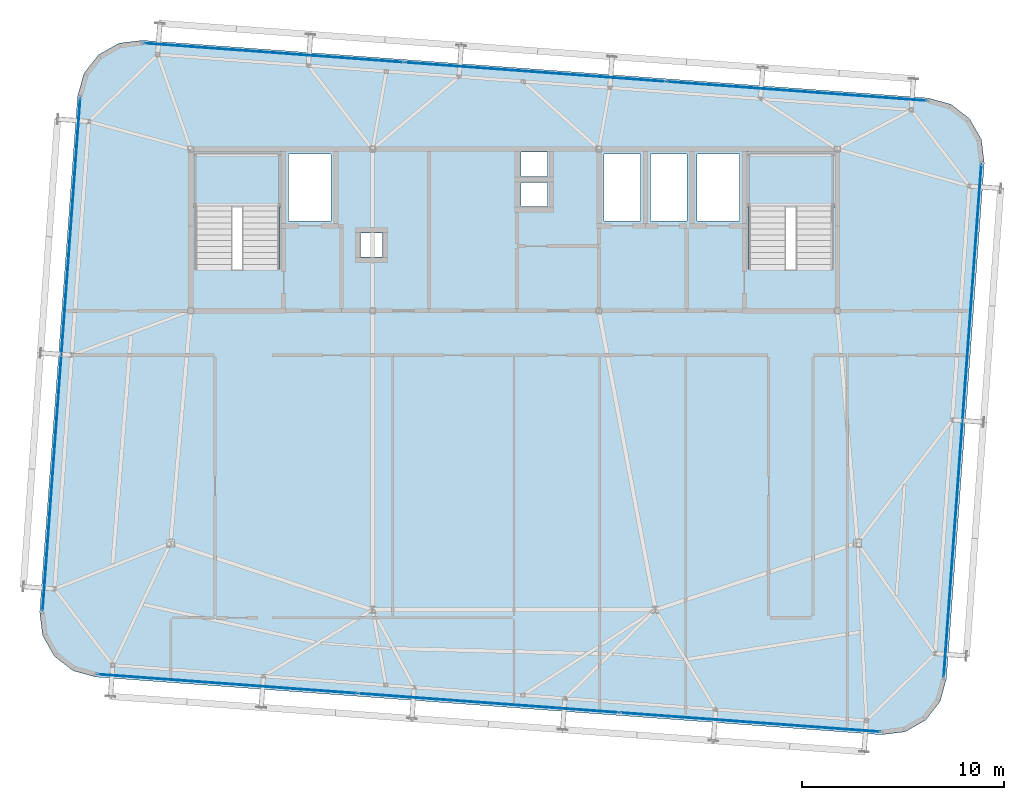
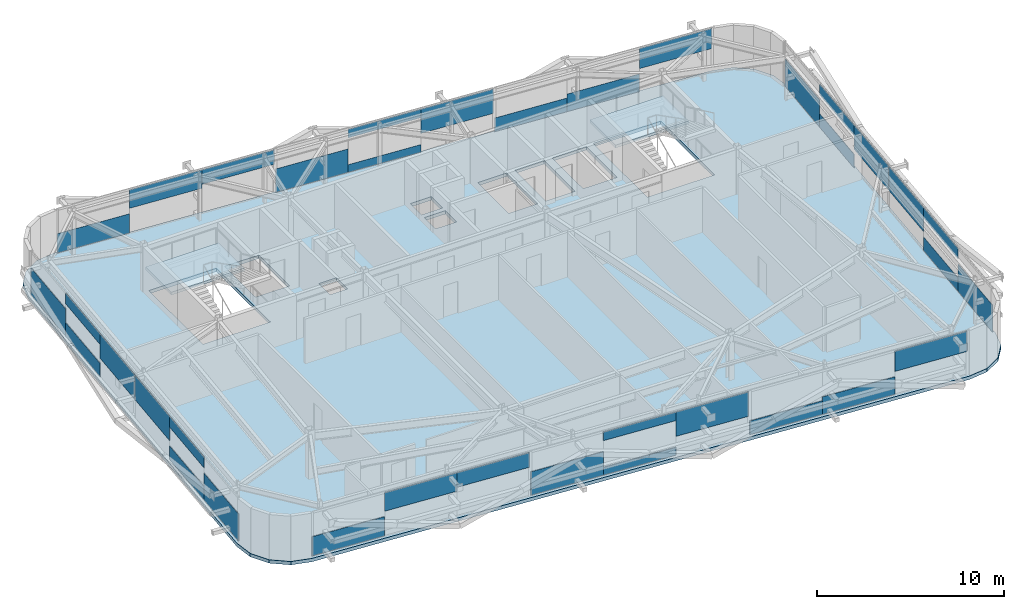
# One storey, part 23 of 34: 36 plates, 3 slabs, 6 elements without a shape of their own.
"""IFC4 building model written with IfcOpenShell, lengths in metres."""

from ifc_helpers import new_model, si_unit, direction, frame, origin, origin_2d, place, context, subcontext, project, spatial, polyline, rectangle, outline, extrude, source, transform, mapped, material, layer, layer_set, type_object, element, aggregate, save


model = new_model("IFC4")

# Units and contexts
model_context = context("Model", 3, precision=1e-05, world=origin(), true_north=direction((0.0, 1.0)))
body_context = subcontext(model_context, "Body", "Model", "MODEL_VIEW")
ifc_project = project(units=[si_unit("LENGTHUNIT", "METRE"), si_unit("AREAUNIT", "SQUARE_METRE"), si_unit("VOLUMEUNIT", "CUBIC_METRE"), si_unit("PLANEANGLEUNIT", "RADIAN"), si_unit("MASSUNIT", "GRAM", prefix="KILO")], contexts=[model_context])

# Site, building, storey
site_placement = place(None, origin())
site = spatial("IfcSite", under=ifc_project, at=site_placement, CompositionType="ELEMENT")
building_placement = place(site_placement, origin())
building = spatial("IfcBuilding", under=site, at=building_placement, Name="Taldren Reach Tower", CompositionType="ELEMENT")
storey_placement = place(building_placement, frame((0.0, 0.0, 239.75)))
storey = spatial("IfcBuildingStorey", under=building, at=storey_placement, Name="L73", CompositionType="ELEMENT", Elevation=239.75)

# Slab
ifc_material_1 = material(Name="Concrete N40 (40 MPa)", Category="concrete")
ifc_layer_1 = layer(ifc_material_1, 0.219970703125)
ifc_layer_set_1 = layer_set([ifc_layer_1], Name="Concrete N40 (40 MPa)")
slab_type_1 = type_object("IfcSlabType", Name="SL-FLR-220", PredefinedType="FLOOR", material=ifc_layer_set_1)
slab_1_placement = place(storey_placement, frame((0.0, 0.0, -0.219970703125)))
element("IfcSlab", 1, at=slab_1_placement, inside=storey, type_object=slab_type_1, Name="Suspended floor slab L73", PredefinedType="FLOOR", context=body_context, shape_type="SweptSolid", body=[
    extrude(outline(polyline([(53.1904296875, 3.014404296875), (54.35205078125, 3.157958984375), (55.370361328125, 3.7353515625), (56.09033203125, 4.658203125), (56.402099609375, 5.78662109375), (58.277099609375, 31.31787109375), (58.13330078125, 32.4794921875), (57.55615234375, 33.497802734375), (56.633056640625, 34.217529296875), (55.5048828125, 34.529541015625), (16.609619140625, 37.3857421875), (15.44775390625, 37.241943359375), (14.429443359375, 36.664794921875), (13.709716796875, 35.74169921875), (13.39794921875, 34.613525390625), (11.52294921875, 9.082275390625), (11.666748046875, 7.920654296875), (12.243896484375, 6.90234375), (13.1669921875, 6.182373046875), (14.295166015625, 5.87060546875), (53.1904296875, 3.014404296875)]), holes=[polyline([(19.219970703125, 26.050048828125), (23.3798828125, 26.050048828125), (23.3798828125, 31.820068359375), (19.219970703125, 31.820068359375), (19.219970703125, 26.050048828125)]), polyline([(46.6201171875, 26.050048828125), (50.780029296875, 26.050048828125), (50.780029296875, 31.820068359375), (46.6201171875, 31.820068359375), (46.6201171875, 26.050048828125)]), polyline([(23.85009765625, 28.449951171875), (25.949951171875, 28.449951171875), (25.949951171875, 31.75), (23.85009765625, 31.75), (23.85009765625, 28.449951171875)]), polyline([(44.050048828125, 28.449951171875), (46.14990234375, 28.449951171875), (46.14990234375, 31.75), (44.050048828125, 31.75), (44.050048828125, 28.449951171875)]), polyline([(39.449951171875, 28.449951171875), (41.25, 28.449951171875), (41.25, 31.75), (39.449951171875, 31.75), (39.449951171875, 28.449951171875)]), polyline([(41.75, 28.449951171875), (43.550048828125, 28.449951171875), (43.550048828125, 31.75), (41.75, 31.75), (41.75, 28.449951171875)]), polyline([(35.35009765625, 30.64990234375), (36.64990234375, 30.64990234375), (36.64990234375, 31.85009765625), (35.35009765625, 31.85009765625), (35.35009765625, 30.64990234375)]), polyline([(35.35009765625, 29.14990234375), (36.64990234375, 29.14990234375), (36.64990234375, 30.35009765625), (35.35009765625, 30.35009765625), (35.35009765625, 29.14990234375)]), polyline([(27.39990234375, 26.64990234375), (28.5, 26.64990234375), (28.5, 27.85009765625), (27.39990234375, 27.85009765625), (27.39990234375, 26.64990234375)])]), origin(), (0.0, 0.0, 1.0), 0.219970703125),
])

# Stair, slab
ifc_material_2 = material(Name="Concrete S50 (50 MPa)", Category="concrete")
stair_type = type_object("IfcStairType", Name="ST-HT-315", PredefinedType="HALF_TURN_STAIR", material=ifc_material_2)
stair_1_placement = place(storey_placement, origin())
stair_1 = element("IfcStair", 2, at=stair_1_placement, inside=storey, type_object=stair_type, Name="Fire-isolated exit stair ST1 L73", PredefinedType="HALF_TURN_STAIR")
ifc_layer_2 = layer(ifc_material_2, 0.179931640625)
ifc_layer_set_2 = layer_set([ifc_layer_2], Name="Concrete S50 (50 MPa)")
slab_type_2 = type_object("IfcSlabType", Name="SL-LAND-180", PredefinedType="LANDING", material=ifc_layer_set_2)
slab_2_placement = place(storey_placement, frame((0.0, 0.0, 1.39501953125)))
slab_2 = element("IfcSlab", 3, at=slab_2_placement, type_object=slab_type_2, Name="ST1 landing 1", PredefinedType="LANDING", context=body_context, shape_type="SweptSolid", body=[
    extrude(outline(polyline([(19.0400390625, 29.135009765625), (23.56005859375, 29.135009765625), (23.56005859375, 31.8701171875), (19.0400390625, 31.8701171875), (19.0400390625, 29.135009765625)])), origin(), (0.0, 0.0, 1.0), 0.179931640625),
])
aggregate(stair_1, [slab_2])

stair_2_placement = place(storey_placement, origin())
stair_2 = element("IfcStair", 4, at=stair_2_placement, inside=storey, type_object=stair_type, Name="Fire-isolated exit stair ST2 L73", PredefinedType="HALF_TURN_STAIR")
slab_3_placement = place(storey_placement, frame((0.0, 0.0, 1.39501953125)))
slab_3 = element("IfcSlab", 5, at=slab_3_placement, type_object=slab_type_2, Name="ST2 landing 1", PredefinedType="LANDING", context=body_context, shape_type="SweptSolid", body=[
    extrude(outline(polyline([(46.43994140625, 29.135009765625), (50.9599609375, 29.135009765625), (50.9599609375, 31.8701171875), (46.43994140625, 31.8701171875), (46.43994140625, 29.135009765625)])), origin(), (0.0, 0.0, 1.0), 0.179931640625),
])
aggregate(stair_2, [slab_3])

# Curtain wall, plate
ifc_material_3 = material(Name="Aluminium and Low-E Glass Unitised System", Category="aluminium")
ifc_layer_3 = layer(ifc_material_3, 0.159912109375)
ifc_layer_set_3 = layer_set([ifc_layer_3], Name="Aluminium and Low-E Glass Unitised System")
curtain_wall_type = type_object("IfcCurtainWallType", Name="CW-SYS-6", PredefinedType="NOTDEFINED", material=ifc_layer_set_3)
curtain_wall_1_placement = place(storey_placement, origin())
curtain_wall_1 = element("IfcCurtainWall", 6, at=curtain_wall_1_placement, inside=storey, type_object=curtain_wall_type, Name="Unitised curtain wall CW-L73-S", PredefinedType="NOTDEFINED")
ifc_material_4 = material(Name="Acoustic Triple-Laminated IGU", Category="glass")
ifc_layer_4 = layer(ifc_material_4, 0.035888671875)
ifc_layer_set_4 = layer_set([ifc_layer_4], Name="Acoustic Triple-Laminated IGU")
plate_type = type_object("IfcPlateType", Name="CW-PNL-IGU36", PredefinedType="CURTAIN_PANEL", material=ifc_layer_set_4)
shared_shape_1 = source(origin(), body_context, "Body", "SweptSolid", [
    extrude(rectangle(XDim=4.2958984375, YDim=0.035888671875, at=origin_2d()), origin(), (0.0, 0.0, 1.0), 1.314208984375),
])
plate_1_placement = place(storey_placement, frame((50.98388671875, 3.316650390625, 1.5556640625), z_axis=(0.0, 0.0, 1.0), x_axis=(0.997314476006, -0.073238213716, 0.0)))
plate_1 = element("IfcPlate", 7, at=plate_1_placement, type_object=plate_type, Name="CW-6 panel 3.1 part 3", PredefinedType="CURTAIN_PANEL", context=body_context, shape_type="MappedRepresentation", body=[
    mapped(shared_shape_1, transform((0.0, 0.0, 0.0), scale=1.0)),
])

curtain_wall_2_placement = place(storey_placement, origin())
curtain_wall_2 = element("IfcCurtainWall", 8, at=curtain_wall_2_placement, inside=storey, type_object=curtain_wall_type, Name="Unitised curtain wall CW-L73-N", PredefinedType="NOTDEFINED")
plate_2_placement = place(storey_placement, frame((53.277587890625, 34.552490234375, 1.5556640625), z_axis=(0.0, 0.0, 1.0), x_axis=(-0.997314476006, 0.073238213716, 0.0)))
plate_2 = element("IfcPlate", 9, at=plate_2_placement, type_object=plate_type, Name="CW-6 panel 1.1 part 1", PredefinedType="CURTAIN_PANEL", context=body_context, shape_type="MappedRepresentation", body=[
    mapped(shared_shape_1, transform((0.0, 0.0, 0.0), scale=1.0)),
])

# Plate
shared_shape_2 = source(origin(), body_context, "Body", "SweptSolid", [
    extrude(rectangle(XDim=4.2958984375, YDim=0.035888671875, at=origin_2d()), origin(), (0.0, 0.0, 1.0), 1.144287109375),
])
plate_3_placement = place(storey_placement, frame((46.699462890625, 3.63134765625, 0.06005859375), z_axis=(0.0, 0.0, 1.0), x_axis=(0.997314476006, -0.073238213716, 0.0)))
plate_3 = element("IfcPlate", 10, at=plate_3_placement, type_object=plate_type, Name="CW-6 panel 3.1 part 2", PredefinedType="CURTAIN_PANEL", context=body_context, shape_type="MappedRepresentation", body=[
    mapped(shared_shape_2, transform((0.0, 0.0, 0.0), scale=1.0)),
])

plate_4_placement = place(storey_placement, frame((48.993408203125, 34.8671875, 0.06005859375), z_axis=(0.0, 0.0, 1.0), x_axis=(-0.997314476006, 0.073238213716, 0.0)))
plate_4 = element("IfcPlate", 11, at=plate_4_placement, type_object=plate_type, Name="CW-6 panel 1.1 part 2", PredefinedType="CURTAIN_PANEL", context=body_context, shape_type="MappedRepresentation", body=[
    mapped(shared_shape_2, transform((0.0, 0.0, 0.0), scale=1.0)),
])

shared_shape_3 = source(origin(), body_context, "Body", "SweptSolid", [
    extrude(rectangle(XDim=4.2958984375, YDim=0.035888671875, at=origin_2d()), origin(), (0.0, 0.0, 1.0), 0.89306640625),
])
plate_5_placement = place(storey_placement, frame((42.415283203125, 3.946044921875, 0.06005859375), z_axis=(0.0, 0.0, 1.0), x_axis=(0.997314476006, -0.073238213716, 0.0)))
plate_5 = element("IfcPlate", 12, at=plate_5_placement, type_object=plate_type, Name="CW-6 panel 3.1 part 1", PredefinedType="CURTAIN_PANEL", context=body_context, shape_type="MappedRepresentation", body=[
    mapped(shared_shape_3, transform((0.0, 0.0, 0.0), scale=1.0)),
])

plate_6_placement = place(storey_placement, frame((44.708984375, 35.181884765625, 0.06005859375), z_axis=(0.0, 0.0, 1.0), x_axis=(-0.997314476006, 0.073238213716, 0.0)))
plate_6 = element("IfcPlate", 13, at=plate_6_placement, type_object=plate_type, Name="CW-6 panel 1.1 part 3", PredefinedType="CURTAIN_PANEL", context=body_context, shape_type="MappedRepresentation", body=[
    mapped(shared_shape_3, transform((0.0, 0.0, 0.0), scale=1.0)),
])

shared_shape_4 = source(origin(), body_context, "Body", "SweptSolid", [
    extrude(rectangle(XDim=4.308349609375, YDim=0.035888671875, at=origin_2d()), origin(), (0.0, 0.0, 1.0), 1.589599609375),
])
plate_7_placement = place(storey_placement, frame((38.0498046875, 4.2666015625, 1.2802734375), z_axis=(0.0, 0.0, 1.0), x_axis=(0.997314476006, -0.073238213716, 0.0)))
plate_7 = element("IfcPlate", 14, at=plate_7_placement, type_object=plate_type, Name="CW-6 panel 2.1 part 4", PredefinedType="CURTAIN_PANEL", context=body_context, shape_type="MappedRepresentation", body=[
    mapped(shared_shape_4, transform((0.0, 0.0, 0.0), scale=1.0)),
])

plate_8_placement = place(storey_placement, frame((40.34375, 35.50244140625, 1.2802734375), z_axis=(0.0, 0.0, 1.0), x_axis=(-0.997314476006, 0.073238213716, 0.0)))
plate_8 = element("IfcPlate", 15, at=plate_8_placement, type_object=plate_type, Name="CW-6 panel 2.1 part 1", PredefinedType="CURTAIN_PANEL", context=body_context, shape_type="MappedRepresentation", body=[
    mapped(shared_shape_4, transform((0.0, 0.0, 0.0), scale=1.0)),
])

shared_shape_5 = source(origin(), body_context, "Body", "SweptSolid", [
    extrude(rectangle(XDim=4.308349609375, YDim=0.035888671875, at=origin_2d()), origin(), (0.0, 0.0, 1.0), 0.499267578125),
])
plate_9_placement = place(storey_placement, frame((33.753173828125, 4.58203125, 0.06005859375), z_axis=(0.0, 0.0, 1.0), x_axis=(0.997314476006, -0.073238213716, 0.0)))
plate_9 = element("IfcPlate", 16, at=plate_9_placement, type_object=plate_type, Name="CW-6 panel 2.1 part 2", PredefinedType="CURTAIN_PANEL", context=body_context, shape_type="MappedRepresentation", body=[
    mapped(shared_shape_5, transform((0.0, 0.0, 0.0), scale=1.0)),
])

plate_10_placement = place(storey_placement, frame((36.046875, 35.81787109375, 0.06005859375), z_axis=(0.0, 0.0, 1.0), x_axis=(-0.997314476006, 0.073238213716, 0.0)))
plate_10 = element("IfcPlate", 17, at=plate_10_placement, type_object=plate_type, Name="CW-6 panel 2.1 part 2", PredefinedType="CURTAIN_PANEL", context=body_context, shape_type="MappedRepresentation", body=[
    mapped(shared_shape_5, transform((0.0, 0.0, 0.0), scale=1.0)),
])

shared_shape_6 = source(origin(), body_context, "Body", "SweptSolid", [
    extrude(rectangle(XDim=4.308349609375, YDim=0.035888671875, at=origin_2d()), origin(), (0.0, 0.0, 1.0), 0.559326171875),
])
plate_11_placement = place(storey_placement, frame((33.753173828125, 4.58203125, 2.310546875), z_axis=(0.0, 0.0, 1.0), x_axis=(0.997314476006, -0.073238213716, 0.0)))
plate_11 = element("IfcPlate", 18, at=plate_11_placement, type_object=plate_type, Name="CW-6 panel 2.1 part 3", PredefinedType="CURTAIN_PANEL", context=body_context, shape_type="MappedRepresentation", body=[
    mapped(shared_shape_6, transform((0.0, 0.0, 0.0), scale=1.0)),
])

plate_12_placement = place(storey_placement, frame((36.046875, 35.81787109375, 2.310546875), z_axis=(0.0, 0.0, 1.0), x_axis=(-0.997314476006, 0.073238213716, 0.0)))
plate_12 = element("IfcPlate", 19, at=plate_12_placement, type_object=plate_type, Name="CW-6 panel 2.1 part 3", PredefinedType="CURTAIN_PANEL", context=body_context, shape_type="MappedRepresentation", body=[
    mapped(shared_shape_6, transform((0.0, 0.0, 0.0), scale=1.0)),
])

shared_shape_7 = source(origin(), body_context, "Body", "SweptSolid", [
    extrude(rectangle(XDim=4.308349609375, YDim=0.035888671875, at=origin_2d()), origin(), (0.0, 0.0, 1.0), 1.52978515625),
])
plate_13_placement = place(storey_placement, frame((29.456298828125, 4.897705078125, 0.06005859375), z_axis=(0.0, 0.0, 1.0), x_axis=(0.997314476006, -0.073238213716, 0.0)))
plate_13 = element("IfcPlate", 20, at=plate_13_placement, type_object=plate_type, Name="CW-6 panel 2.1 part 1", PredefinedType="CURTAIN_PANEL", context=body_context, shape_type="MappedRepresentation", body=[
    mapped(shared_shape_7, transform((0.0, 0.0, 0.0), scale=1.0)),
])

plate_14_placement = place(storey_placement, frame((31.750244140625, 36.133544921875, 0.06005859375), z_axis=(0.0, 0.0, 1.0), x_axis=(-0.997314476006, 0.073238213716, 0.0)))
plate_14 = element("IfcPlate", 21, at=plate_14_placement, type_object=plate_type, Name="CW-6 panel 2.1 part 4", PredefinedType="CURTAIN_PANEL", context=body_context, shape_type="MappedRepresentation", body=[
    mapped(shared_shape_7, transform((0.0, 0.0, 0.0), scale=1.0)),
])

shared_shape_8 = source(origin(), body_context, "Body", "SweptSolid", [
    extrude(rectangle(XDim=4.2958984375, YDim=0.035888671875, at=origin_2d()), origin(), (0.0, 0.0, 1.0), 0.952880859375),
])
plate_15_placement = place(storey_placement, frame((25.091064453125, 5.21826171875, 1.9169921875), z_axis=(0.0, 0.0, 1.0), x_axis=(0.997314476006, -0.073238213716, 0.0)))
plate_15 = element("IfcPlate", 22, at=plate_15_placement, type_object=plate_type, Name="CW-6 panel 1.1 part 3", PredefinedType="CURTAIN_PANEL", context=body_context, shape_type="MappedRepresentation", body=[
    mapped(shared_shape_8, transform((0.0, 0.0, 0.0), scale=1.0)),
])

plate_16_placement = place(storey_placement, frame((27.384765625, 36.4541015625, 1.9169921875), z_axis=(0.0, 0.0, 1.0), x_axis=(-0.997314476006, 0.073238213716, 0.0)))
plate_16 = element("IfcPlate", 23, at=plate_16_placement, type_object=plate_type, Name="CW-6 panel 3.1 part 1", PredefinedType="CURTAIN_PANEL", context=body_context, shape_type="MappedRepresentation", body=[
    mapped(shared_shape_8, transform((0.0, 0.0, 0.0), scale=1.0)),
])

shared_shape_9 = source(origin(), body_context, "Body", "SweptSolid", [
    extrude(rectangle(XDim=4.2958984375, YDim=0.035888671875, at=origin_2d()), origin(), (0.0, 0.0, 1.0), 1.2041015625),
])
plate_17_placement = place(storey_placement, frame((20.806640625, 5.53271484375, 1.665771484375), z_axis=(0.0, 0.0, 1.0), x_axis=(0.997314476006, -0.073238213716, 0.0)))
plate_17 = element("IfcPlate", 24, at=plate_17_placement, type_object=plate_type, Name="CW-6 panel 1.1 part 2", PredefinedType="CURTAIN_PANEL", context=body_context, shape_type="MappedRepresentation", body=[
    mapped(shared_shape_9, transform((0.0, 0.0, 0.0), scale=1.0)),
])

plate_18_placement = place(storey_placement, frame((23.1005859375, 36.7685546875, 1.665771484375), z_axis=(0.0, 0.0, 1.0), x_axis=(-0.997314476006, 0.073238213716, 0.0)))
plate_18 = element("IfcPlate", 25, at=plate_18_placement, type_object=plate_type, Name="CW-6 panel 3.1 part 2", PredefinedType="CURTAIN_PANEL", context=body_context, shape_type="MappedRepresentation", body=[
    mapped(shared_shape_9, transform((0.0, 0.0, 0.0), scale=1.0)),
])

shared_shape_10 = source(origin(), body_context, "Body", "SweptSolid", [
    extrude(rectangle(XDim=4.2958984375, YDim=0.035888671875, at=origin_2d()), origin(), (0.0, 0.0, 1.0), 1.254150390625),
])
plate_19_placement = place(storey_placement, frame((16.5224609375, 5.847412109375, 0.06005859375), z_axis=(0.0, 0.0, 1.0), x_axis=(0.997314476006, -0.073238213716, 0.0)))
plate_19 = element("IfcPlate", 26, at=plate_19_placement, type_object=plate_type, Name="CW-6 panel 1.1 part 1", PredefinedType="CURTAIN_PANEL", context=body_context, shape_type="MappedRepresentation", body=[
    mapped(shared_shape_10, transform((0.0, 0.0, 0.0), scale=1.0)),
])

aggregate(curtain_wall_1, [plate_19, plate_17, plate_15, plate_13, plate_9, plate_11, plate_7, plate_5, plate_3, plate_1])

plate_20_placement = place(storey_placement, frame((18.816162109375, 37.083251953125, 0.06005859375), z_axis=(0.0, 0.0, 1.0), x_axis=(-0.997314476006, 0.073238213716, 0.0)))
plate_20 = element("IfcPlate", 27, at=plate_20_placement, type_object=plate_type, Name="CW-6 panel 3.1 part 3", PredefinedType="CURTAIN_PANEL", context=body_context, shape_type="MappedRepresentation", body=[
    mapped(shared_shape_10, transform((0.0, 0.0, 0.0), scale=1.0)),
])

aggregate(curtain_wall_2, [plate_2, plate_4, plate_6, plate_8, plate_10, plate_12, plate_14, plate_16, plate_18, plate_20])

# Curtain wall, plates
curtain_wall_3_placement = place(storey_placement, origin())
curtain_wall_3 = element("IfcCurtainWall", 28, at=curtain_wall_3_placement, inside=storey, type_object=curtain_wall_type, Name="Unitised curtain wall CW-L73-W", PredefinedType="NOTDEFINED")
shared_shape_11 = source(origin(), body_context, "Body", "SweptSolid", [
    extrude(rectangle(XDim=4.229248046875, YDim=0.035888671875, at=origin_2d()), origin(), (0.0, 0.0, 1.0), 1.768798828125),
])
plate_21_placement = place(storey_placement, frame((13.377197265625, 32.41943359375, 0.06005859375), z_axis=(0.0, 0.0, 1.0), x_axis=(-0.073238282558, -0.997314470951, 0.0)))
plate_21 = element("IfcPlate", 29, at=plate_21_placement, type_object=plate_type, Name="CW-6 panel 1.1 part 1", PredefinedType="CURTAIN_PANEL", context=body_context, shape_type="MappedRepresentation", body=[
    mapped(shared_shape_11, transform((0.0, 0.0, 0.0), scale=1.0)),
])
plate_22_placement = place(storey_placement, frame((11.822998046875, 11.255615234375, 0.06005859375), z_axis=(0.0, 0.0, 1.0), x_axis=(-0.073238282558, -0.997314470951, 0.0)))
plate_22 = element("IfcPlate", 30, at=plate_22_placement, type_object=plate_type, Name="CW-6 panel 2.1 part 4", PredefinedType="CURTAIN_PANEL", context=body_context, shape_type="MappedRepresentation", body=[
    mapped(shared_shape_11, transform((0.0, 0.0, 0.0), scale=1.0)),
])

curtain_wall_4_placement = place(storey_placement, origin())
curtain_wall_4 = element("IfcCurtainWall", 31, at=curtain_wall_4_placement, inside=storey, type_object=curtain_wall_type, Name="Unitised curtain wall CW-L73-E", PredefinedType="NOTDEFINED")
plate_23_placement = place(storey_placement, frame((56.4228515625, 7.98046875, 0.06005859375), z_axis=(0.0, 0.0, 1.0), x_axis=(0.073238282558, 0.997314470951, 0.0)))
plate_23 = element("IfcPlate", 32, at=plate_23_placement, type_object=plate_type, Name="CW-6 panel 1.1 part 1", PredefinedType="CURTAIN_PANEL", context=body_context, shape_type="MappedRepresentation", body=[
    mapped(shared_shape_11, transform((0.0, 0.0, 0.0), scale=1.0)),
])
plate_24_placement = place(storey_placement, frame((57.97705078125, 29.144287109375, 0.06005859375), z_axis=(0.0, 0.0, 1.0), x_axis=(0.073238282558, 0.997314470951, 0.0)))
plate_24 = element("IfcPlate", 33, at=plate_24_placement, type_object=plate_type, Name="CW-6 panel 2.1 part 4", PredefinedType="CURTAIN_PANEL", context=body_context, shape_type="MappedRepresentation", body=[
    mapped(shared_shape_11, transform((0.0, 0.0, 0.0), scale=1.0)),
])

# Plate
shared_shape_12 = source(origin(), body_context, "Body", "SweptSolid", [
    extrude(rectangle(XDim=4.229248046875, YDim=0.035888671875, at=origin_2d()), origin(), (0.0, 0.0, 1.0), 0.8828125),
])
plate_25_placement = place(storey_placement, frame((13.0673828125, 28.20166015625, 0.06005859375), z_axis=(0.0, 0.0, 1.0), x_axis=(-0.073238282558, -0.997314470951, 0.0)))
plate_25 = element("IfcPlate", 34, at=plate_25_placement, type_object=plate_type, Name="CW-6 panel 1.1 part 2", PredefinedType="CURTAIN_PANEL", context=body_context, shape_type="MappedRepresentation", body=[
    mapped(shared_shape_12, transform((0.0, 0.0, 0.0), scale=1.0)),
])

plate_26_placement = place(storey_placement, frame((12.1328125, 15.473388671875, 0.06005859375), z_axis=(0.0, 0.0, 1.0), x_axis=(-0.073238282558, -0.997314470951, 0.0)))
plate_26 = element("IfcPlate", 35, at=plate_26_placement, type_object=plate_type, Name="CW-6 panel 2.1 part 2", PredefinedType="CURTAIN_PANEL", context=body_context, shape_type="MappedRepresentation", body=[
    mapped(shared_shape_12, transform((0.0, 0.0, 0.0), scale=1.0)),
])

plate_27_placement = place(storey_placement, frame((56.732666015625, 12.1982421875, 0.06005859375), z_axis=(0.0, 0.0, 1.0), x_axis=(0.073238282558, 0.997314470951, 0.0)))
plate_27 = element("IfcPlate", 36, at=plate_27_placement, type_object=plate_type, Name="CW-6 panel 1.1 part 2", PredefinedType="CURTAIN_PANEL", context=body_context, shape_type="MappedRepresentation", body=[
    mapped(shared_shape_12, transform((0.0, 0.0, 0.0), scale=1.0)),
])

plate_28_placement = place(storey_placement, frame((57.667236328125, 24.926513671875, 0.06005859375), z_axis=(0.0, 0.0, 1.0), x_axis=(0.073238282558, 0.997314470951, 0.0)))
plate_28 = element("IfcPlate", 37, at=plate_28_placement, type_object=plate_type, Name="CW-6 panel 2.1 part 2", PredefinedType="CURTAIN_PANEL", context=body_context, shape_type="MappedRepresentation", body=[
    mapped(shared_shape_12, transform((0.0, 0.0, 0.0), scale=1.0)),
])

shared_shape_13 = source(origin(), body_context, "Body", "SweptSolid", [
    extrude(rectangle(XDim=4.229248046875, YDim=0.035888671875, at=origin_2d()), origin(), (0.0, 0.0, 1.0), 0.69921875),
])
plate_29_placement = place(storey_placement, frame((13.0673828125, 28.20166015625, 2.170654296875), z_axis=(0.0, 0.0, 1.0), x_axis=(-0.073238282558, -0.997314470951, 0.0)))
plate_29 = element("IfcPlate", 38, at=plate_29_placement, type_object=plate_type, Name="CW-6 panel 1.1 part 3", PredefinedType="CURTAIN_PANEL", context=body_context, shape_type="MappedRepresentation", body=[
    mapped(shared_shape_13, transform((0.0, 0.0, 0.0), scale=1.0)),
])

plate_30_placement = place(storey_placement, frame((12.1328125, 15.473388671875, 2.170654296875), z_axis=(0.0, 0.0, 1.0), x_axis=(-0.073238282558, -0.997314470951, 0.0)))
plate_30 = element("IfcPlate", 39, at=plate_30_placement, type_object=plate_type, Name="CW-6 panel 2.1 part 3", PredefinedType="CURTAIN_PANEL", context=body_context, shape_type="MappedRepresentation", body=[
    mapped(shared_shape_13, transform((0.0, 0.0, 0.0), scale=1.0)),
])

plate_31_placement = place(storey_placement, frame((56.732666015625, 12.1982421875, 2.170654296875), z_axis=(0.0, 0.0, 1.0), x_axis=(0.073238282558, 0.997314470951, 0.0)))
plate_31 = element("IfcPlate", 40, at=plate_31_placement, type_object=plate_type, Name="CW-6 panel 1.1 part 3", PredefinedType="CURTAIN_PANEL", context=body_context, shape_type="MappedRepresentation", body=[
    mapped(shared_shape_13, transform((0.0, 0.0, 0.0), scale=1.0)),
])

plate_32_placement = place(storey_placement, frame((57.667236328125, 24.926513671875, 2.170654296875), z_axis=(0.0, 0.0, 1.0), x_axis=(0.073238282558, 0.997314470951, 0.0)))
plate_32 = element("IfcPlate", 41, at=plate_32_placement, type_object=plate_type, Name="CW-6 panel 2.1 part 3", PredefinedType="CURTAIN_PANEL", context=body_context, shape_type="MappedRepresentation", body=[
    mapped(shared_shape_13, transform((0.0, 0.0, 0.0), scale=1.0)),
])

shared_shape_14 = source(origin(), body_context, "Body", "SweptSolid", [
    extrude(rectangle(XDim=4.229248046875, YDim=0.035888671875, at=origin_2d()), origin(), (0.0, 0.0, 1.0), 1.585205078125),
])
plate_33_placement = place(storey_placement, frame((12.757568359375, 23.98388671875, 1.28466796875), z_axis=(0.0, 0.0, 1.0), x_axis=(-0.073238282558, -0.997314470951, 0.0)))
plate_33 = element("IfcPlate", 42, at=plate_33_placement, type_object=plate_type, Name="CW-6 panel 1.1 part 4", PredefinedType="CURTAIN_PANEL", context=body_context, shape_type="MappedRepresentation", body=[
    mapped(shared_shape_14, transform((0.0, 0.0, 0.0), scale=1.0)),
])

plate_34_placement = place(storey_placement, frame((12.4423828125, 19.69140625, 1.28466796875), z_axis=(0.0, 0.0, 1.0), x_axis=(-0.073238282558, -0.997314470951, 0.0)))
plate_34 = element("IfcPlate", 43, at=plate_34_placement, type_object=plate_type, Name="CW-6 panel 2.1 part 1", PredefinedType="CURTAIN_PANEL", context=body_context, shape_type="MappedRepresentation", body=[
    mapped(shared_shape_14, transform((0.0, 0.0, 0.0), scale=1.0)),
])

aggregate(curtain_wall_3, [plate_21, plate_25, plate_29, plate_33, plate_34, plate_26, plate_30, plate_22])

plate_35_placement = place(storey_placement, frame((57.042236328125, 16.416015625, 1.28466796875), z_axis=(0.0, 0.0, 1.0), x_axis=(0.073238282558, 0.997314470951, 0.0)))
plate_35 = element("IfcPlate", 44, at=plate_35_placement, type_object=plate_type, Name="CW-6 panel 1.1 part 4", PredefinedType="CURTAIN_PANEL", context=body_context, shape_type="MappedRepresentation", body=[
    mapped(shared_shape_14, transform((0.0, 0.0, 0.0), scale=1.0)),
])

plate_36_placement = place(storey_placement, frame((57.357666015625, 20.708740234375, 1.28466796875), z_axis=(0.0, 0.0, 1.0), x_axis=(0.073238282558, 0.997314470951, 0.0)))
plate_36 = element("IfcPlate", 45, at=plate_36_placement, type_object=plate_type, Name="CW-6 panel 2.1 part 1", PredefinedType="CURTAIN_PANEL", context=body_context, shape_type="MappedRepresentation", body=[
    mapped(shared_shape_14, transform((0.0, 0.0, 0.0), scale=1.0)),
])

aggregate(curtain_wall_4, [plate_23, plate_27, plate_31, plate_35, plate_36, plate_28, plate_32, plate_24])

save(model, "model.ifc")
